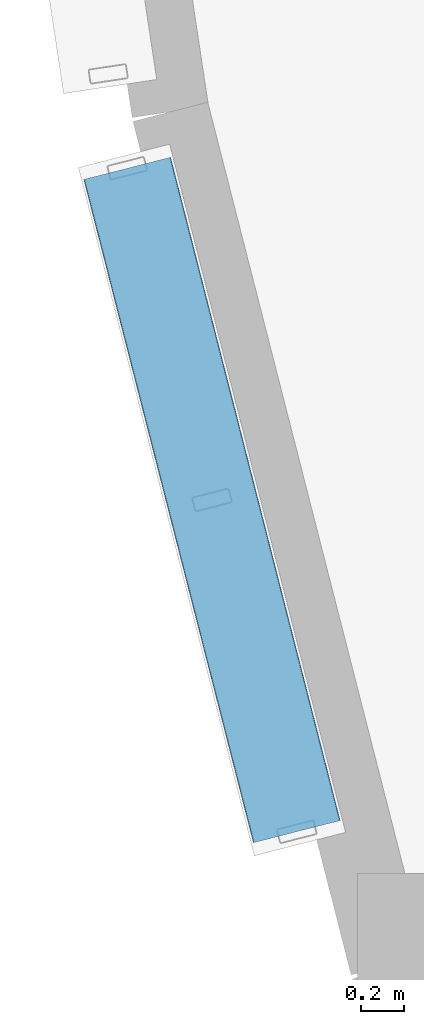
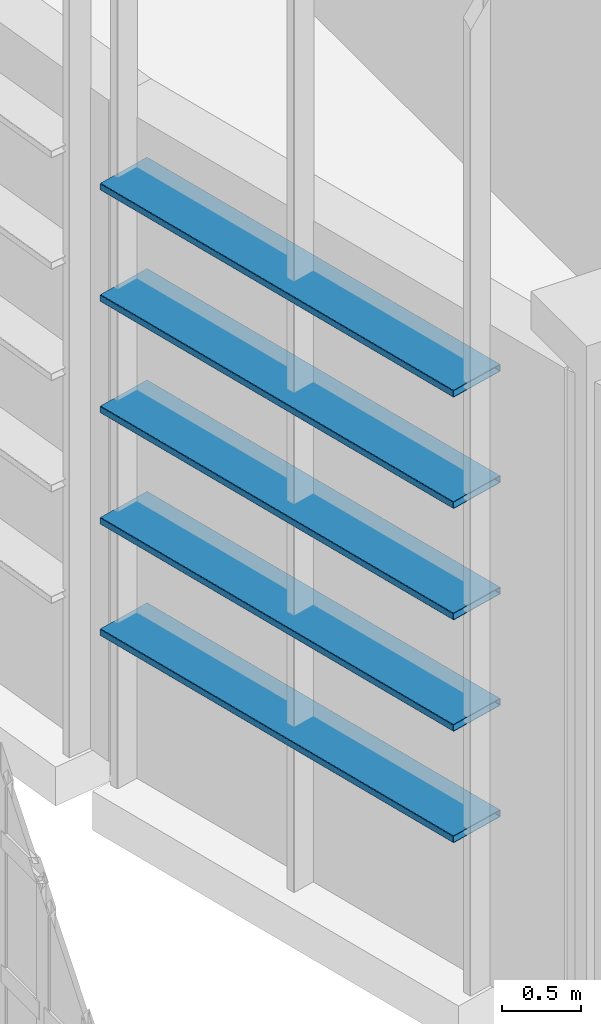
# One storey, part 176 of 372: 5 members.
"""IFC4 building model written with IfcOpenShell, lengths in metres."""

from ifc_helpers import new_model, si_unit, direction, frame, origin, origin_2d, place, context, subcontext, project, spatial, hollow_rectangle, extrude, material, material_profile, profile_set, type_object, element, save


model = new_model("IFC4")

# Units and contexts
model_context = context("Model", 3, precision=1e-05, world=origin(), true_north=direction((0.0, 1.0)))
body_context = subcontext(model_context, "Body", "Model", "MODEL_VIEW")
ifc_project = project(units=[si_unit("LENGTHUNIT", "METRE"), si_unit("AREAUNIT", "SQUARE_METRE"), si_unit("VOLUMEUNIT", "CUBIC_METRE"), si_unit("PLANEANGLEUNIT", "RADIAN"), si_unit("MASSUNIT", "GRAM", prefix="KILO")], contexts=[model_context])

# Site, building, storey
site_placement = place(None, origin())
site = spatial("IfcSite", under=ifc_project, at=site_placement, CompositionType="ELEMENT")
building_placement = place(site_placement, origin())
building = spatial("IfcBuilding", under=site, at=building_placement, Name="Kaelora Sail Theatre", CompositionType="ELEMENT")
storey_placement = place(building_placement, origin())
storey = spatial("IfcBuildingStorey", under=building, at=storey_placement, Name="L00", CompositionType="ELEMENT", Elevation=0.0)

# Members
ifc_material = material(Name="Anodised aluminium 6063-T6", Category="aluminium")
ifc_material_profile = material_profile(ifc_material, hollow_rectangle(XDim=0.419921875, YDim=0.054931640625, WallThickness=0.00390625, InnerFilletRadius=0.00390625, OuterFilletRadius=0.008056640625, at=origin_2d()), Name="LOUVRE 420x55x4")
ifc_profile_set = profile_set([ifc_material_profile], Name="Anodised aluminium 6063-T6")
member_type = type_object("IfcMemberType", Name="ARC-MEM-LVR-420", PredefinedType="USERDEFINED", material=ifc_profile_set)
for number, where, z_axis, x_axis, name in (
    (1, (78.2470703125, 44.150634765625, 1.25), (-0.24769312213, 0.968838540341, 0.0), (-0.968838540341, -0.24769312213, 0.0), "Studio Theatre Sail Drum horizontal solar louvre C17-01"),
    (2, (78.2470703125, 44.150634765625, 2.110107421875), (-0.24769312213, 0.968838540341, 0.0), (-0.968838540341, -0.24769312213, 0.0), "Studio Theatre Sail Drum horizontal solar louvre C17-02"),
    (3, (78.2470703125, 44.150634765625, 2.969970703125), (-0.24769312213, 0.968838540341, 0.0), (-0.968838540341, -0.24769312213, 0.0), "Studio Theatre Sail Drum horizontal solar louvre C17-03"),
    (4, (78.2470703125, 44.150634765625, 3.830078125), (-0.24769312213, 0.968838540341, 0.0), (-0.968838540341, -0.24769312213, 0.0), "Studio Theatre Sail Drum horizontal solar louvre C17-04"),
    (5, (78.2470703125, 44.150634765625, 4.68994140625), (-0.24769312213, 0.968838540341, 0.0), (-0.968838540341, -0.24769312213, 0.0), "Studio Theatre Sail Drum horizontal solar louvre C17-05"),
):
    element("IfcMember", number, at=place(storey_placement, frame(where, z_axis=z_axis, x_axis=x_axis)), inside=storey, type_object=member_type, Name=name, ObjectType="LOUVRE", PredefinedType="USERDEFINED", context=body_context, shape_type="SweptSolid", body=[
        extrude(hollow_rectangle(XDim=0.419921875, YDim=0.054931640625, WallThickness=0.00390625, InnerFilletRadius=0.00390625, OuterFilletRadius=0.008056640625, at=origin_2d()), origin(), (0.0, 0.0, 1.0), 3.194580078125),
    ])

save(model, "model.ifc")
